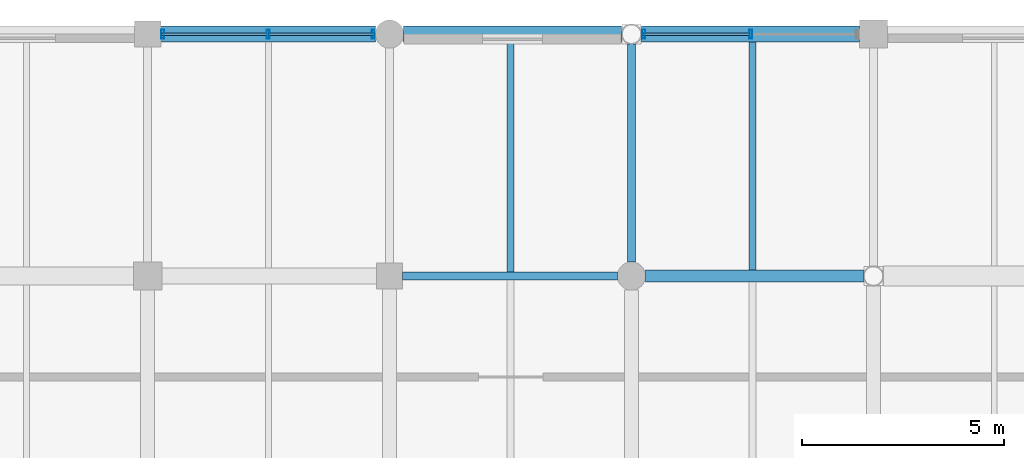
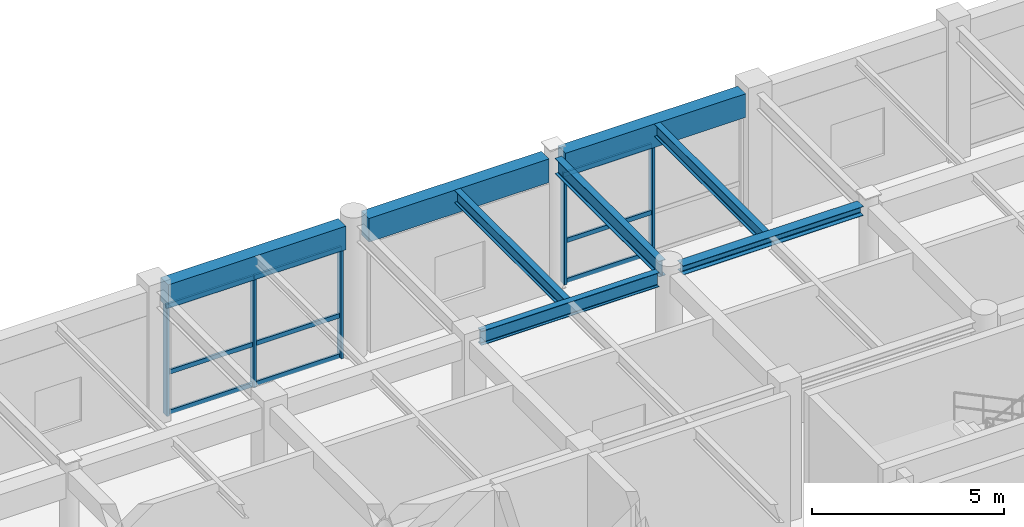
# One storey, part 70 of 116: 14 members, 8 beams, 2 elements without a shape of their own.
"""IFC4 building model written with IfcOpenShell, lengths in metres."""

import ifcopenshell
import ifcopenshell.guid

model = None  # the IFC model being written
_history = None  # IfcOwnerHistory: only IFC2X3 demands one
_inside = {}  # id of a spatial element -> (the spatial element, [elements in it])
_under = {}  # id of a project, library or spatial element -> (it, [spatial elements below it])
_declared = {}  # id of a project -> (the project, [libraries it declares])
_typed = {}  # id of a type object -> (the type object, [elements of that type])
_made_of = {}  # id of a material, layer set ... -> (it, [elements and type objects made of it])


def new_model(schema):
    """Start an empty IFC model of exactly this schema.

    Asked for "IFC4X3", IfcOpenShell would pick the latest addendum, in which some entities
    have other attributes; the version numbers below select the first issue.
    IFC2X3 requires an IfcOwnerHistory on every rooted entity: one is made here for all.
    """
    global model, _history
    if schema == "IFC4X3":
        model = ifcopenshell.file(schema_version=(4, 3, 0, 0))
    else:
        model = ifcopenshell.file(schema=schema)
    _inside.clear()
    _under.clear()
    _declared.clear()
    _typed.clear()
    _made_of.clear()
    _history = None
    if model.schema == "IFC2X3":
        org = make("IfcOrganization", Name="unknown")
        user = make(
            "IfcPersonAndOrganization",
            ThePerson=make("IfcPerson", FamilyName="unknown"),
            TheOrganization=org,
        )
        app = make(
            "IfcApplication",
            ApplicationDeveloper=org,
            Version="unknown",
            ApplicationFullName="unknown",
            ApplicationIdentifier="unknown",
        )
        _history = make(
            "IfcOwnerHistory",
            OwningUser=user,
            OwningApplication=app,
            ChangeAction="ADDED",
            CreationDate=0,
        )
    return model


def make(cls, **values):
    """One entity of the class cls with the attributes given. An attribute that is None is left unset."""
    return model.create_entity(
        cls, **{name: value for name, value in values.items() if value is not None}
    )


def rooted(cls, **values):
    """An entity with a GlobalId (a new one), such as an element, a storey or a relation."""
    return make(cls, GlobalId=ifcopenshell.guid.new(), OwnerHistory=_history, **values)


def si_unit(unit_type, name, prefix=None):
    """IfcSIUnit, for example si_unit("LENGTHUNIT", "METRE", prefix="MILLI")."""
    return make("IfcSIUnit", UnitType=unit_type, Prefix=prefix, Name=name)


def assignment(units):
    """IfcUnitAssignment: the units of a project."""
    return None if units is None else make("IfcUnitAssignment", Units=units)


def point(xyz):
    """IfcCartesianPoint."""
    return None if xyz is None else make("IfcCartesianPoint", Coordinates=xyz)


def direction(xyz):
    """IfcDirection."""
    return None if xyz is None else make("IfcDirection", DirectionRatios=xyz)


def frame(location, z_axis=None, x_axis=None):
    """IfcAxis2Placement3D, a coordinate frame: its origin and axes. An axis left out is left unset."""
    return make(
        "IfcAxis2Placement3D",
        Location=point(location),
        Axis=direction(z_axis),
        RefDirection=direction(x_axis),
    )


def frame_2d(location, x_axis=None):
    """IfcAxis2Placement2D, a coordinate frame in the plane: its origin and x axis."""
    return make(
        "IfcAxis2Placement2D", Location=point(location), RefDirection=direction(x_axis)
    )


def origin():
    """The frame at (0, 0, 0) with its axes left unset."""
    return frame((0.0, 0.0, 0.0))


def origin_2d():
    """The frame at (0, 0) in the plane with its x axis left unset."""
    return frame_2d((0.0, 0.0))


def place(relative_to, where):
    """IfcLocalPlacement: puts the frame where relative to a parent placement (None: the world)."""
    return make(
        "IfcLocalPlacement", PlacementRelTo=relative_to, RelativePlacement=where
    )


def context(
    kind, dimensions, precision=None, world=None, true_north=None, identifier=None
):
    """IfcGeometricRepresentationContext, for example the 3D "Model" context."""
    return make(
        "IfcGeometricRepresentationContext",
        ContextIdentifier=identifier,
        ContextType=kind,
        CoordinateSpaceDimension=dimensions,
        Precision=precision,
        WorldCoordinateSystem=world,
        TrueNorth=true_north,
    )


def subcontext(parent, identifier, kind, view, scale=None):
    """IfcGeometricRepresentationSubContext, for example "Body" below "Model"."""
    return make(
        "IfcGeometricRepresentationSubContext",
        ContextIdentifier=identifier,
        ContextType=kind,
        ParentContext=parent,
        TargetScale=scale,
        TargetView=view,
    )


def project(units=None, contexts=None):
    """IfcProject with its units and contexts."""
    return rooted(
        "IfcProject",
        Name="project",
        RepresentationContexts=contexts,
        UnitsInContext=assignment(units),
    )


def spatial(cls, under=None, at=None, **own):
    """A site, building, storey or space (cls), placed at a placement, below another one or the project."""
    s = rooted(cls, ObjectPlacement=at, **own)
    if under is not None:
        _under.setdefault(under.id(), (under, []))[1].append(s)
    return s


def profile(cls, at=None, kind="AREA", **sizes):
    """A parametric profile (cls). Its sizes go by their IFC names, for example OverallWidth=200.0."""
    return make(cls, ProfileType=kind, Position=at, **sizes)


def rectangle(**sizes):
    """IfcRectangleProfileDef."""
    return profile("IfcRectangleProfileDef", **sizes)


def hollow_rectangle(**sizes):
    """IfcRectangleHollowProfileDef."""
    return profile("IfcRectangleHollowProfileDef", **sizes)


def i_section(**sizes):
    """IfcIShapeProfileDef."""
    return profile("IfcIShapeProfileDef", **sizes)


def extrude(swept, where, along, depth):
    """IfcExtrudedAreaSolid: the profile swept, set in the frame where, extruded along a direction by depth."""
    return make(
        "IfcExtrudedAreaSolid",
        SweptArea=swept,
        Position=where,
        ExtrudedDirection=direction(along),
        Depth=depth,
    )


def shape(context_of_items, identifier, shape_type, items):
    """IfcShapeRepresentation: the items that make up one representation, for example the "Body"."""
    return make(
        "IfcShapeRepresentation",
        ContextOfItems=context_of_items,
        RepresentationIdentifier=identifier,
        RepresentationType=shape_type,
        Items=items,
    )


def material(Name=None, Category=None):
    """IfcMaterial."""
    return make("IfcMaterial", Name=Name, Category=Category)


def material_profile(
    of_material, cross_section, Name=None, Category=None, Priority=None
):
    """IfcMaterialProfile: a cross section and its material."""
    return make(
        "IfcMaterialProfile",
        Name=Name,
        Material=of_material,
        Profile=cross_section,
        Priority=Priority,
        Category=Category,
    )


def profile_set(profiles, Name=None, composite=None):
    """IfcMaterialProfileSet."""
    return make(
        "IfcMaterialProfileSet",
        Name=Name,
        MaterialProfiles=profiles,
        CompositeProfile=composite,
    )


def made_of(thing, what):
    """Note that an element or type object is made of a material, layer set ...; save() writes the relation."""
    if what is not None:
        _made_of.setdefault(what.id(), (what, []))[1].append(thing)
    return thing


def type_object(cls, material=None, **own):
    """A type object (cls), such as IfcWallType, which elements share."""
    return made_of(rooted(cls, **own), material)


def element(
    cls,
    number,
    at=None,
    inside=None,
    cuts=None,
    type_object=None,
    material=None,
    context=None,
    identifier="Body",
    shape_type=None,
    held_by="IfcProductDefinitionShape",
    body=None,
    shapes=None,
    **own,
):
    """One element of the class cls, such as IfcWall. Its Tag is "e" and its number.

    at: its placement. inside: the storey or other place that contains it. cuts: it is an
    opening in that element (IfcRelVoidsElement). A single representation is given by context,
    identifier, shape_type and body (its items); several are given by shapes. held_by: the class
    of the entity that holds the representations. save() writes the other relations.
    """
    e = rooted(cls, Tag="e%d" % number, ObjectPlacement=at, **own)
    if body is not None:
        shapes = [shape(context, identifier, shape_type, body)]
    if shapes is not None:
        e.Representation = make(held_by, Representations=shapes)
    if inside is not None:
        _inside.setdefault(inside.id(), (inside, []))[1].append(e)
    if cuts is not None:
        rooted(
            "IfcRelVoidsElement", RelatingBuildingElement=cuts, RelatedOpeningElement=e
        )
    if type_object is not None:
        _typed.setdefault(type_object.id(), (type_object, []))[1].append(e)
    return made_of(e, material)


def aggregate(whole, parts):
    """IfcRelAggregates: a whole, such as a stair, and the parts it consists of."""
    return rooted("IfcRelAggregates", RelatingObject=whole, RelatedObjects=parts)


def save(model, path):
    """Write the relations noted so far, then the file.

    IfcRelAggregates (storeys below a building ...), IfcRelContainedInSpatialStructure (elements
    in a storey), IfcRelDefinesByType, IfcRelAssociatesMaterial and IfcRelDeclares: one each for
    every whole, place, type object, material and project.
    """
    for whole, parts in _under.values():
        aggregate(whole, parts)
    for where, things in _inside.values():
        rooted(
            "IfcRelContainedInSpatialStructure",
            RelatedElements=things,
            RelatingStructure=where,
        )
    for kind, things in _typed.values():
        rooted("IfcRelDefinesByType", RelatedObjects=things, RelatingType=kind)
    for what, things in _made_of.values():
        rooted("IfcRelAssociatesMaterial", RelatedObjects=things, RelatingMaterial=what)
    for by, libraries in _declared.values():
        rooted("IfcRelDeclares", RelatingContext=by, RelatedDefinitions=libraries)
    model.write(path)


model = new_model("IFC4")

# Units and contexts
model_context = context("Model", 3, precision=1e-05, world=origin(), true_north=direction((0.0, 1.0)))
body_context = subcontext(model_context, "Body", "Model", "MODEL_VIEW")
ifc_project = project(units=[si_unit("LENGTHUNIT", "METRE"), si_unit("AREAUNIT", "SQUARE_METRE"), si_unit("VOLUMEUNIT", "CUBIC_METRE"), si_unit("PLANEANGLEUNIT", "RADIAN"), si_unit("MASSUNIT", "GRAM", prefix="KILO"), si_unit("THERMODYNAMICTEMPERATUREUNIT", "KELVIN"), si_unit("POWERUNIT", "WATT")], contexts=[model_context])

# Site, building, storey
site_placement = place(None, origin())
site = spatial("IfcSite", under=ifc_project, at=site_placement, CompositionType="ELEMENT")
building_placement = place(site_placement, origin())
building = spatial("IfcBuilding", under=site, at=building_placement, Name="Phaisarnlok Congress Hotel", CompositionType="ELEMENT")
storey_placement = place(building_placement, frame((0.0, 0.0, 10.5)))
storey = spatial("IfcBuildingStorey", under=building, at=storey_placement, Name="L02", CompositionType="ELEMENT", Elevation=10.5)

# Beams
ifc_material_1 = material(Name="Steel S355", Category="steel")
ifc_material_profile_1 = material_profile(ifc_material_1, i_section(OverallWidth=0.300048828125, OverallDepth=0.2900390625, WebThickness=0.008544921875, FlangeThickness=0.013916015625, FilletRadius=0.027099609375, at=origin_2d()), Name="HEA 300")
ifc_profile_set_1 = profile_set([ifc_material_profile_1], Name="Steel S355")
beam_type_1 = type_object("IfcBeamType", Name="BM-STL-HEA300", PredefinedType="BEAM", material=ifc_profile_set_1)
beam_1_placement = place(storey_placement, frame((156.344970703125, 120.0, 4.094970703125), z_axis=(1.0, 0.0, 0.0), x_axis=(0.0, 1.0, 0.0)))
element("IfcBeam", 1, at=beam_1_placement, inside=storey, type_object=beam_type_1, Name="Beam SB-05", PredefinedType="BEAM", context=body_context, shape_type="SweptSolid", body=[
    extrude(i_section(OverallWidth=0.300048828125, OverallDepth=0.2900390625, WebThickness=0.008544921875, FlangeThickness=0.013916015625, FilletRadius=0.027099609375, at=origin_2d()), origin(), (0.0, 0.0, 1.0), 5.406005859375),
])
ifc_material_profile_2 = material_profile(ifc_material_1, i_section(OverallWidth=0.18994140625, OverallDepth=0.449951171875, WebThickness=0.009521484375, FlangeThickness=0.0146484375, FilletRadius=0.02099609375, at=origin_2d()), Name="IPE 450")
ifc_profile_set_2 = profile_set([ifc_material_profile_2], Name="Steel S355")
beam_type_2 = type_object("IfcBeamType", Name="BM-STL-IPE450", PredefinedType="BEAM", material=ifc_profile_set_2)
beam_2_placement = place(storey_placement, frame((150.320068359375, 120.0, 4.014892578125), z_axis=(1.0, 0.0, 0.0), x_axis=(0.0, 1.0, 0.0)))
element("IfcBeam", 2, at=beam_2_placement, inside=storey, type_object=beam_type_2, Name="Beam SB-01", PredefinedType="BEAM", context=body_context, shape_type="SweptSolid", body=[
    extrude(i_section(OverallWidth=0.18994140625, OverallDepth=0.449951171875, WebThickness=0.009521484375, FlangeThickness=0.0146484375, FilletRadius=0.02099609375, at=origin_2d()), origin(), (0.0, 0.0, 1.0), 5.3349609375),
])
ifc_material_profile_3 = material_profile(ifc_material_1, i_section(OverallWidth=0.199951171875, OverallDepth=0.5, WebThickness=0.01025390625, FlangeThickness=0.01611328125, FilletRadius=0.02099609375, at=origin_2d()), Name="IPE 500")
ifc_profile_set_3 = profile_set([ifc_material_profile_3], Name="Steel S355")
beam_type_3 = type_object("IfcBeamType", Name="BM-STL-IPE500", PredefinedType="BEAM", material=ifc_profile_set_3)
beam_3_placement = place(storey_placement, frame((156.0, 120.344970703125, 3.989990234375), z_axis=(0.0, 1.0, 0.0), x_axis=(-1.0, 0.0, 0.0)))
element("IfcBeam", 3, at=beam_3_placement, inside=storey, type_object=beam_type_3, Name="Beam SB-02", PredefinedType="BEAM", context=body_context, shape_type="SweptSolid", body=[
    extrude(i_section(OverallWidth=0.199951171875, OverallDepth=0.5, WebThickness=0.01025390625, FlangeThickness=0.01611328125, FilletRadius=0.02099609375, at=origin_2d()), origin(), (0.0, 0.0, 1.0), 5.406005859375),
])

# Curtain wall, members
ifc_material_2 = material(Name="Thermally Broken Unitised Aluminium & Low-E Glazing", Category="aluminium")
curtain_wall_type_1 = type_object("IfcCurtainWallType", Name="CW-UNIT-17", PredefinedType="NOTDEFINED", material=ifc_material_2)
curtain_wall_1_placement = place(storey_placement, origin())
curtain_wall_1 = element("IfcCurtainWall", 4, at=curtain_wall_1_placement, inside=storey, type_object=curtain_wall_type_1, Name="Unitised curtain wall CW-17 (L02)", PredefinedType="NOTDEFINED")
ifc_material_3 = material(Name="Anodised Aluminium Alloy 6063-T6", Category="aluminium")
ifc_material_profile_4 = material_profile(ifc_material_3, hollow_rectangle(XDim=0.074951171875, YDim=0.219970703125, WallThickness=0.0048828125, at=origin_2d()), Name="ALU-M 75x220x5")
ifc_profile_set_4 = profile_set([ifc_material_profile_4], Name="Anodised Aluminium Alloy 6063-T6")
member_type_1 = type_object("IfcMemberType", Name="CWM-220", PredefinedType="MULLION", material=ifc_profile_set_4)
member_1_placement = place(storey_placement, frame((158.951904296875, 126.0, 0.0), z_axis=(0.0, 0.0, 1.0), x_axis=(-1.0, 0.0, 0.0)))
member_1 = element("IfcMember", 5, at=member_1_placement, type_object=member_type_1, Name="Curtain wall mullion CWM-02", PredefinedType="MULLION", context=body_context, shape_type="SweptSolid", body=[
    extrude(hollow_rectangle(XDim=0.074951171875, YDim=0.219970703125, WallThickness=0.0048828125, at=origin_2d()), origin(), (0.0, 0.0, 1.0), 3.489990234375),
])
member_2_placement = place(storey_placement, frame((156.303955078125, 126.0, 0.0), z_axis=(0.0, 0.0, 1.0), x_axis=(-1.0, 0.0, 0.0)))
member_2 = element("IfcMember", 6, at=member_2_placement, type_object=member_type_1, Name="Curtain wall mullion CWM-02", PredefinedType="MULLION", context=body_context, shape_type="SweptSolid", body=[
    extrude(hollow_rectangle(XDim=0.074951171875, YDim=0.219970703125, WallThickness=0.0048828125, at=origin_2d()), origin(), (0.0, 0.0, 1.0), 3.489990234375),
])

curtain_wall_type_2 = type_object("IfcCurtainWallType", Name="CW-UNIT-16", PredefinedType="NOTDEFINED", material=ifc_material_2)
curtain_wall_2_placement = place(storey_placement, origin())
curtain_wall_2 = element("IfcCurtainWall", 7, at=curtain_wall_2_placement, inside=storey, type_object=curtain_wall_type_2, Name="Unitised curtain wall CW-16 (L02)", PredefinedType="NOTDEFINED")
member_3_placement = place(storey_placement, frame((149.60009765625, 126.0, 0.0), z_axis=(0.0, 0.0, 1.0), x_axis=(-1.0, 0.0, 0.0)))
member_3 = element("IfcMember", 8, at=member_3_placement, type_object=member_type_1, Name="Curtain wall mullion CWM-02", PredefinedType="MULLION", context=body_context, shape_type="SweptSolid", body=[
    extrude(hollow_rectangle(XDim=0.074951171875, YDim=0.219970703125, WallThickness=0.0048828125, at=origin_2d()), origin(), (0.0, 0.0, 1.0), 3.489990234375),
])
member_4_placement = place(storey_placement, frame((146.987548828125, 126.0, 0.0), z_axis=(0.0, 0.0, 1.0), x_axis=(-1.0, 0.0, 0.0)))
member_4 = element("IfcMember", 9, at=member_4_placement, type_object=member_type_1, Name="Curtain wall mullion CWM-02", PredefinedType="MULLION", context=body_context, shape_type="SweptSolid", body=[
    extrude(hollow_rectangle(XDim=0.074951171875, YDim=0.219970703125, WallThickness=0.0048828125, at=origin_2d()), origin(), (0.0, 0.0, 1.0), 3.489990234375),
])
member_5_placement = place(storey_placement, frame((144.375, 126.0, 0.0), z_axis=(0.0, 0.0, 1.0), x_axis=(-1.0, 0.0, 0.0)))
member_5 = element("IfcMember", 10, at=member_5_placement, type_object=member_type_1, Name="Curtain wall mullion CWM-02", PredefinedType="MULLION", context=body_context, shape_type="SweptSolid", body=[
    extrude(hollow_rectangle(XDim=0.074951171875, YDim=0.219970703125, WallThickness=0.0048828125, at=origin_2d()), origin(), (0.0, 0.0, 1.0), 3.489990234375),
])

# Member
ifc_material_profile_5 = material_profile(ifc_material_3, hollow_rectangle(XDim=0.06494140625, YDim=0.139892578125, WallThickness=0.00390625, at=origin_2d()), Name="ALU-T 65x140x4")
ifc_profile_set_5 = profile_set([ifc_material_profile_5], Name="Anodised Aluminium Alloy 6063-T6")
member_type_2 = type_object("IfcMemberType", Name="CWT-150", PredefinedType="USERDEFINED", material=ifc_profile_set_5)
member_6_placement = place(storey_placement, frame((158.93701171875, 126.0, 0.050048828125), z_axis=(-1.0, 0.0, 0.0), x_axis=(0.0, -1.0, 0.0)))
member_6 = element("IfcMember", 11, at=member_6_placement, type_object=member_type_2, Name="Curtain wall transom CWT-01", ObjectType="TRANSOM", PredefinedType="USERDEFINED", context=body_context, shape_type="SweptSolid", body=[
    extrude(hollow_rectangle(XDim=0.06494140625, YDim=0.139892578125, WallThickness=0.00390625, at=origin_2d()), origin(), (0.0, 0.0, 1.0), 2.657958984375),
])

member_7_placement = place(storey_placement, frame((158.93701171875, 126.0, 1.326171875), z_axis=(-1.0, 0.0, 0.0), x_axis=(0.0, -1.0, 0.0)))
member_7 = element("IfcMember", 12, at=member_7_placement, type_object=member_type_2, Name="Curtain wall transom CWT-01", ObjectType="TRANSOM", PredefinedType="USERDEFINED", context=body_context, shape_type="SweptSolid", body=[
    extrude(hollow_rectangle(XDim=0.06494140625, YDim=0.139892578125, WallThickness=0.00390625, at=origin_2d()), origin(), (0.0, 0.0, 1.0), 2.657958984375),
])

member_8_placement = place(storey_placement, frame((158.93701171875, 126.0, 3.43994140625), z_axis=(-1.0, 0.0, 0.0), x_axis=(0.0, -1.0, 0.0)))
member_8 = element("IfcMember", 13, at=member_8_placement, type_object=member_type_2, Name="Curtain wall transom CWT-01", ObjectType="TRANSOM", PredefinedType="USERDEFINED", context=body_context, shape_type="SweptSolid", body=[
    extrude(hollow_rectangle(XDim=0.06494140625, YDim=0.139892578125, WallThickness=0.00390625, at=origin_2d()), origin(), (0.0, 0.0, 1.0), 2.657958984375),
])

aggregate(curtain_wall_1, [member_1, member_2, member_6, member_7, member_8])

member_9_placement = place(storey_placement, frame((149.625, 126.0, 0.050048828125), z_axis=(-1.0, 0.0, 0.0), x_axis=(0.0, -1.0, 0.0)))
member_9 = element("IfcMember", 14, at=member_9_placement, type_object=member_type_2, Name="Curtain wall transom CWT-01", ObjectType="TRANSOM", PredefinedType="USERDEFINED", context=body_context, shape_type="SweptSolid", body=[
    extrude(hollow_rectangle(XDim=0.06494140625, YDim=0.139892578125, WallThickness=0.00390625, at=origin_2d()), origin(), (0.0, 0.0, 1.0), 2.62255859375),
])

member_10_placement = place(storey_placement, frame((149.625, 126.0, 1.326171875), z_axis=(-1.0, 0.0, 0.0), x_axis=(0.0, -1.0, 0.0)))
member_10 = element("IfcMember", 15, at=member_10_placement, type_object=member_type_2, Name="Curtain wall transom CWT-01", ObjectType="TRANSOM", PredefinedType="USERDEFINED", context=body_context, shape_type="SweptSolid", body=[
    extrude(hollow_rectangle(XDim=0.06494140625, YDim=0.139892578125, WallThickness=0.00390625, at=origin_2d()), origin(), (0.0, 0.0, 1.0), 2.62255859375),
])

member_11_placement = place(storey_placement, frame((149.625, 126.0, 3.43994140625), z_axis=(-1.0, 0.0, 0.0), x_axis=(0.0, -1.0, 0.0)))
member_11 = element("IfcMember", 16, at=member_11_placement, type_object=member_type_2, Name="Curtain wall transom CWT-01", ObjectType="TRANSOM", PredefinedType="USERDEFINED", context=body_context, shape_type="SweptSolid", body=[
    extrude(hollow_rectangle(XDim=0.06494140625, YDim=0.139892578125, WallThickness=0.00390625, at=origin_2d()), origin(), (0.0, 0.0, 1.0), 2.62255859375),
])

member_12_placement = place(storey_placement, frame((146.972412109375, 126.0, 0.050048828125), z_axis=(-1.0, 0.0, 0.0), x_axis=(0.0, -1.0, 0.0)))
member_12 = element("IfcMember", 17, at=member_12_placement, type_object=member_type_2, Name="Curtain wall transom CWT-01", ObjectType="TRANSOM", PredefinedType="USERDEFINED", context=body_context, shape_type="SweptSolid", body=[
    extrude(hollow_rectangle(XDim=0.06494140625, YDim=0.139892578125, WallThickness=0.00390625, at=origin_2d()), origin(), (0.0, 0.0, 1.0), 2.622314453125),
])

member_13_placement = place(storey_placement, frame((146.972412109375, 126.0, 1.326171875), z_axis=(-1.0, 0.0, 0.0), x_axis=(0.0, -1.0, 0.0)))
member_13 = element("IfcMember", 18, at=member_13_placement, type_object=member_type_2, Name="Curtain wall transom CWT-01", ObjectType="TRANSOM", PredefinedType="USERDEFINED", context=body_context, shape_type="SweptSolid", body=[
    extrude(hollow_rectangle(XDim=0.06494140625, YDim=0.139892578125, WallThickness=0.00390625, at=origin_2d()), origin(), (0.0, 0.0, 1.0), 2.622314453125),
])

member_14_placement = place(storey_placement, frame((146.972412109375, 126.0, 3.43994140625), z_axis=(-1.0, 0.0, 0.0), x_axis=(0.0, -1.0, 0.0)))
member_14 = element("IfcMember", 19, at=member_14_placement, type_object=member_type_2, Name="Curtain wall transom CWT-01", ObjectType="TRANSOM", PredefinedType="USERDEFINED", context=body_context, shape_type="SweptSolid", body=[
    extrude(hollow_rectangle(XDim=0.06494140625, YDim=0.139892578125, WallThickness=0.00390625, at=origin_2d()), origin(), (0.0, 0.0, 1.0), 2.622314453125),
])

aggregate(curtain_wall_2, [member_3, member_4, member_5, member_9, member_10, member_11, member_12, member_13, member_14])

# Beams
ifc_material_profile_6 = material_profile(ifc_material_1, i_section(OverallWidth=0.179931640625, OverallDepth=0.39990234375, WebThickness=0.008544921875, FlangeThickness=0.013427734375, FilletRadius=0.02099609375, at=origin_2d()), Name="IPE 400")
ifc_profile_set_6 = profile_set([ifc_material_profile_6], Name="Steel S355")
beam_type_4 = type_object("IfcBeamType", Name="JS-STL-IPE400", PredefinedType="JOIST", material=ifc_profile_set_6)
beam_4_placement = place(storey_placement, frame((153.0, 120.090087890625, 4.0400390625), z_axis=(0.0, 1.0, 0.0), x_axis=(-1.0, 0.0, 0.0)))
element("IfcBeam", 20, at=beam_4_placement, inside=storey, type_object=beam_type_4, Name="Secondary floor joist J-05", PredefinedType="JOIST", context=body_context, shape_type="SweptSolid", body=[
    extrude(i_section(OverallWidth=0.179931640625, OverallDepth=0.39990234375, WebThickness=0.008544921875, FlangeThickness=0.013427734375, FilletRadius=0.02099609375, at=origin_2d()), origin(), (0.0, 0.0, 1.0), 5.71484375),
])
beam_5_placement = place(storey_placement, frame((159.0, 120.14501953125, 4.0400390625), z_axis=(0.0, 1.0, 0.0), x_axis=(-1.0, 0.0, 0.0)))
element("IfcBeam", 21, at=beam_5_placement, inside=storey, type_object=beam_type_4, Name="Secondary floor joist J-05", PredefinedType="JOIST", context=body_context, shape_type="SweptSolid", body=[
    extrude(i_section(OverallWidth=0.179931640625, OverallDepth=0.39990234375, WebThickness=0.008544921875, FlangeThickness=0.013427734375, FilletRadius=0.02099609375, at=origin_2d()), origin(), (0.0, 0.0, 1.0), 5.659912109375),
])
ifc_material_4 = material(Name="Concrete C40/50", Category="concrete")
ifc_material_profile_7 = material_profile(ifc_material_4, rectangle(XDim=0.39990234375, YDim=0.75, at=origin_2d()), Name="RC 400x750")
ifc_profile_set_7 = profile_set([ifc_material_profile_7], Name="Concrete C40/50")
beam_type_5 = type_object("IfcBeamType", Name="SP-RC-400x750", PredefinedType="SPANDREL", material=ifc_profile_set_7)
beam_6_placement = place(storey_placement, frame((144.320068359375, 126.0, 3.864990234375), z_axis=(1.0, 0.0, 0.0), x_axis=(0.0, 1.0, 0.0)))
element("IfcBeam", 22, at=beam_6_placement, inside=storey, type_object=beam_type_5, Name="Beam SP-02", PredefinedType="SPANDREL", context=body_context, shape_type="SweptSolid", body=[
    extrude(rectangle(XDim=0.39990234375, YDim=0.75, at=origin_2d()), origin(), (0.0, 0.0, 1.0), 5.3349609375),
])
for number, where, z_axis, x_axis, name in (
    (23, (150.344970703125, 126.0, 3.864990234375), (1.0, 0.0, 0.0), (0.0, 1.0, 0.0), "Beam SP-02"),
    (24, (156.2490234375, 126.0, 3.864990234375), (1.0, 0.0, 0.0), (0.0, 1.0, 0.0), "Beam SP-02"),
):
    element("IfcBeam", number, at=place(storey_placement, frame(where, z_axis=z_axis, x_axis=x_axis)), inside=storey, type_object=beam_type_5, Name=name, PredefinedType="SPANDREL", context=body_context, shape_type="SweptSolid", body=[
        extrude(rectangle(XDim=0.39990234375, YDim=0.75, at=origin_2d()), origin(), (0.0, 0.0, 1.0), 5.406005859375),
    ])

save(model, "model.ifc")
